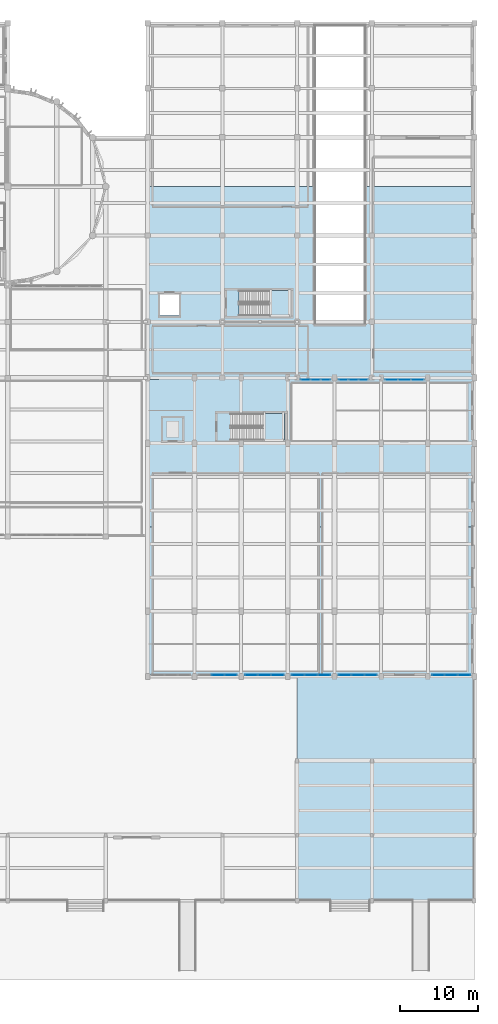
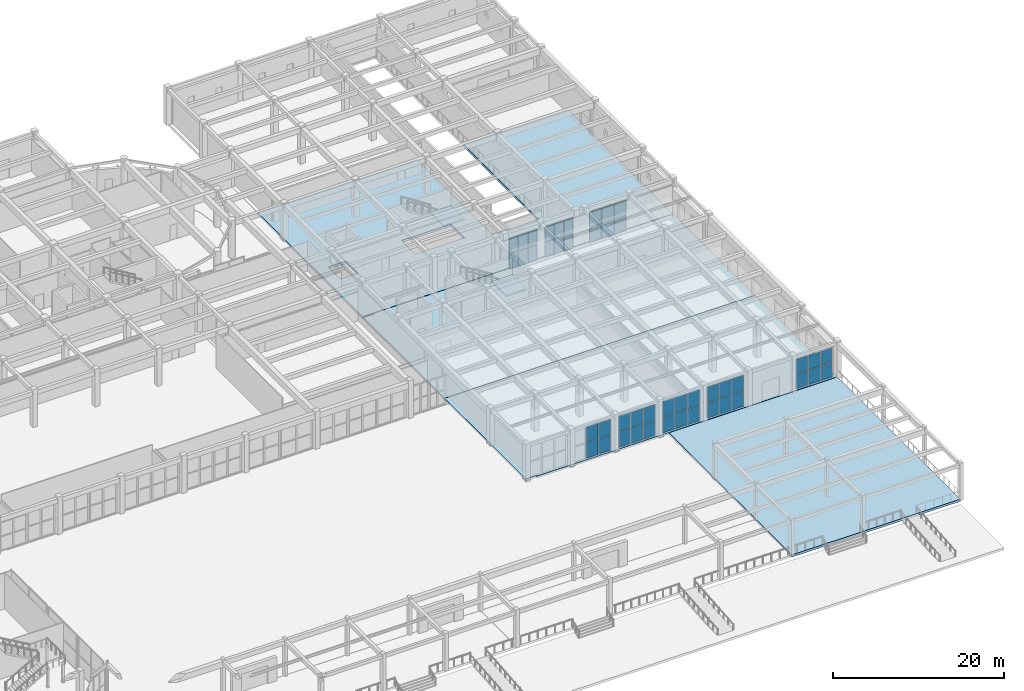
# One storey, part 64 of 98: 46 plates, 6 slabs, 10 elements without a shape of their own.
"""IFC4 building model written with IfcOpenShell, lengths in metres."""

from ifc_helpers import new_model, si_unit, direction, frame, origin, origin_2d, place, context, subcontext, project, spatial, polyline, rectangle, outline, extrude, material, layer, layer_set, type_object, element, aggregate, save


model = new_model("IFC4")

# Units and contexts
model_context = context("Model", 3, precision=1e-05, world=origin(), true_north=direction((0.0, 1.0)))
body_context = subcontext(model_context, "Body", "Model", "MODEL_VIEW")
ifc_project = project(units=[si_unit("LENGTHUNIT", "METRE"), si_unit("AREAUNIT", "SQUARE_METRE"), si_unit("VOLUMEUNIT", "CUBIC_METRE"), si_unit("PLANEANGLEUNIT", "RADIAN"), si_unit("MASSUNIT", "GRAM", prefix="KILO")], contexts=[model_context])

# Site, building, storey
site_placement = place(None, origin())
site = spatial("IfcSite", under=ifc_project, at=site_placement, CompositionType="ELEMENT")
building_placement = place(site_placement, origin())
building = spatial("IfcBuilding", under=site, at=building_placement, Name="Tarnavel Promenade Courthouse", CompositionType="ELEMENT")
storey_placement = place(building_placement, origin())
storey = spatial("IfcBuildingStorey", under=building, at=storey_placement, Name="L01", CompositionType="ELEMENT", Elevation=0.0)

# Slabs
ifc_material_1 = material(Name="Concrete C35/45", Category="concrete")
ifc_layer_1 = layer(ifc_material_1, 0.320068359375)
ifc_layer_set_1 = layer_set([ifc_layer_1], Name="Concrete C35/45")
slab_type_1 = type_object("IfcSlabType", Name="Concrete C35/45 SLB-COL-320 (320 mm)", PredefinedType="FLOOR", material=ifc_layer_set_1)
slab_1_placement = place(storey_placement, frame((0.0, 0.0, -0.320068359375)))
element("IfcSlab", 1, at=slab_1_placement, inside=storey, type_object=slab_type_1, Name="L01 East Ceremonial Portico Plinth Deck", PredefinedType="FLOOR", context=body_context, shape_type="SweptSolid", body=[
    extrude(outline(polyline([(139.219970703125, 0.0), (162.0, 0.0), (162.0, 28.780029296875), (139.219970703125, 28.780029296875), (139.219970703125, 0.0)])), origin(), (0.0, 0.0, 1.0), 0.320068359375),
])
ifc_layer_2 = layer(ifc_material_1, 0.280029296875)
ifc_layer_set_2 = layer_set([ifc_layer_2], Name="Concrete C35/45")
slab_type_2 = type_object("IfcSlabType", Name="Concrete C35/45 SLB-L01-280 (280 mm)", PredefinedType="FLOOR", material=ifc_layer_set_2)
slab_2_placement = place(storey_placement, frame((0.0, 0.0, -0.280029296875)))
element("IfcSlab", 2, at=slab_2_placement, inside=storey, type_object=slab_type_2, Name="L01 Ceremonial Pavilion S Floor Slab", PredefinedType="FLOOR", context=body_context, shape_type="SweptSolid", body=[
    extrude(outline(polyline([(120.02001953125, 28.97998046875), (121.419921875, 28.97998046875), (121.419921875, 28.820068359375), (162.0, 28.820068359375), (162.0, 47.97998046875), (120.02001953125, 47.97998046875), (120.02001953125, 28.97998046875)])), origin(), (0.0, 0.0, 1.0), 0.280029296875),
])
slab_3_placement = place(storey_placement, frame((0.0, 0.0, -0.280029296875)))
element("IfcSlab", 3, at=slab_3_placement, inside=storey, type_object=slab_type_2, Name="L01 Ceremonial Pavilion N Floor Slab", PredefinedType="FLOOR", context=body_context, shape_type="SweptSolid", body=[
    extrude(outline(polyline([(120.02001953125, 48.02001953125), (162.0, 48.02001953125), (162.0, 67.179931640625), (121.419921875, 67.179931640625), (121.419921875, 67.02001953125), (120.02001953125, 67.02001953125), (120.02001953125, 48.02001953125)])), origin(), (0.0, 0.0, 1.0), 0.280029296875),
])

# Stair, slab
stair_type_1 = type_object("IfcStairType", Name="Concrete C35/45 Half-Turn Stair STR-16 (1500W-280G-30R)", PredefinedType="HALF_TURN_STAIR", material=ifc_material_1)
stair_1_placement = place(storey_placement, origin())
stair_1 = element("IfcStair", 4, at=stair_1_placement, inside=storey, type_object=stair_type_1, Name="L01 Custody Suite Protected Exit Stair", PredefinedType="HALF_TURN_STAIR")
ifc_layer_3 = layer(ifc_material_1, 0.205078125)
ifc_layer_set_3 = layer_set([ifc_layer_3], Name="Concrete C35/45")
slab_type_3 = type_object("IfcSlabType", Name="Concrete C35/45 Stair Landing SLB-LND-205 (205 mm)", PredefinedType="LANDING", material=ifc_layer_set_3)
slab_4_placement = place(storey_placement, frame((0.0, 0.0, 2.5)))
slab_4 = element("IfcSlab", 5, at=slab_4_placement, type_object=slab_type_3, Name="ST-06 landing 1", PredefinedType="LANDING", context=body_context, shape_type="SweptSolid", body=[
    extrude(outline(polyline([(135.6201171875, 75.199951171875), (138.39990234375, 75.199951171875), (138.39990234375, 78.39990234375), (135.6201171875, 78.39990234375), (135.6201171875, 75.199951171875)])), origin(), (0.0, 0.0, 1.0), 0.199951171875),
])
aggregate(stair_1, [slab_4])

stair_type_2 = type_object("IfcStairType", Name="Concrete C35/45 Half-Turn Stair STR-18 (1600W-300G-30R)", PredefinedType="HALF_TURN_STAIR", material=ifc_material_1)
stair_2_placement = place(storey_placement, origin())
stair_2 = element("IfcStair", 6, at=stair_2_placement, inside=storey, type_object=stair_type_2, Name="L01 Ceremonial Pavilion Exit Stair", PredefinedType="HALF_TURN_STAIR")
slab_5_placement = place(storey_placement, frame((0.0, 0.0, 2.5)))
slab_5 = element("IfcSlab", 7, at=slab_5_placement, type_object=slab_type_3, Name="ST-08 landing 1", PredefinedType="LANDING", context=body_context, shape_type="SweptSolid", body=[
    extrude(outline(polyline([(134.800048828125, 59.199951171875), (137.60009765625, 59.199951171875), (137.60009765625, 62.60009765625), (134.800048828125, 62.60009765625), (134.800048828125, 59.199951171875)])), origin(), (0.0, 0.0, 1.0), 0.199951171875),
])
aggregate(stair_2, [slab_5])

# Slab
ifc_material_2 = material(Name="Concrete C40/50", Category="concrete")
ifc_layer_4 = layer(ifc_material_2, 0.340087890625)
ifc_layer_set_4 = layer_set([ifc_layer_4], Name="Concrete C40/50")
slab_type_4 = type_object("IfcSlabType", Name="Concrete C40/50 SLB-ARC-340 (340 mm)", PredefinedType="FLOOR", material=ifc_layer_set_4)
slab_6_placement = place(storey_placement, frame((0.0, 0.0, -0.340087890625)))
element("IfcSlab", 8, at=slab_6_placement, inside=storey, type_object=slab_type_4, Name="L01 Custody Suite S Security Slab", PredefinedType="FLOOR", context=body_context, shape_type="SweptSolid", body=[
    extrude(outline(polyline([(120.02001953125, 67.219970703125), (162.0, 67.219970703125), (162.0, 91.780029296875), (147.820068359375, 91.780029296875), (147.820068359375, 74.1201171875), (141.580078125, 74.1201171875), (141.580078125, 91.780029296875), (120.02001953125, 91.780029296875), (120.02001953125, 67.219970703125)]), holes=[polyline([(131.7451171875, 75.199951171875), (138.39990234375, 75.199951171875), (138.39990234375, 78.39990234375), (131.7451171875, 78.39990234375), (131.7451171875, 75.199951171875)]), polyline([(121.60009765625, 75.199951171875), (124.0, 75.199951171875), (124.0, 78.0), (121.60009765625, 78.0), (121.60009765625, 75.199951171875)])]), origin(), (0.0, 0.0, 1.0), 0.340087890625),
])

# Curtain wall, plates
ifc_material_3 = material(Name="Thermally Broken Anodised Aluminium Curtain Wall System", Category="aluminium")
ifc_layer_5 = layer(ifc_material_3, 0.199951171875)
ifc_layer_set_5 = layer_set([ifc_layer_5], Name="Thermally Broken Anodised Aluminium Curtain Wall System")
curtain_wall_type = type_object("IfcCurtainWallType", Name="Thermally Broken Aluminium Triple-Glazed Curtain Wall CW-FOYER", PredefinedType="NOTDEFINED", material=ifc_layer_set_5)
curtain_wall_1_placement = place(storey_placement, origin())
curtain_wall_1 = element("IfcCurtainWall", 9, at=curtain_wall_1_placement, inside=storey, type_object=curtain_wall_type, Name="L01 Ceremonial Cloister Curtain Wall 159", PredefinedType="NOTDEFINED")
ifc_material_4 = material(Name="Triple Low-E Argon Insulated Glazing", Category="glass")
ifc_layer_6 = layer(ifc_material_4, 0.048095703125)
ifc_layer_set_6 = layer_set([ifc_layer_6], Name="Triple Low-E Argon Insulated Glazing")
plate_type = type_object("IfcPlateType", Name="Triple Low-E Argon Insulated Glazing Unit CWP-48 (48 mm)", PredefinedType="CURTAIN_PANEL", material=ifc_layer_set_6)
plate_1_placement = place(storey_placement, frame((129.0, 29.02001953125, 0.080078125), z_axis=(0.0, 0.0, 1.0), x_axis=(1.0, 0.0, 0.0)))
plate_1 = element("IfcPlate", 10, at=plate_1_placement, type_object=plate_type, Name="CW-04 panel 2.1", PredefinedType="CURTAIN_PANEL", context=body_context, shape_type="SweptSolid", body=[
    extrude(rectangle(XDim=1.610107421875, YDim=0.048095703125, at=origin_2d()), origin(), (0.0, 0.0, 1.0), 2.18994140625),
])
plate_2_placement = place(storey_placement, frame((129.0, 29.02001953125, 2.35009765625), z_axis=(0.0, 0.0, 1.0), x_axis=(1.0, 0.0, 0.0)))
plate_2 = element("IfcPlate", 11, at=plate_2_placement, type_object=plate_type, Name="CW-04 panel 2.2", PredefinedType="CURTAIN_PANEL", context=body_context, shape_type="SweptSolid", body=[
    extrude(rectangle(XDim=1.610107421875, YDim=0.048095703125, at=origin_2d()), origin(), (0.0, 0.0, 1.0), 2.18994140625),
])
plate_3_placement = place(storey_placement, frame((130.677490234375, 29.02001953125, 0.080078125), z_axis=(0.0, 0.0, 1.0), x_axis=(1.0, 0.0, 0.0)))
plate_3 = element("IfcPlate", 12, at=plate_3_placement, type_object=plate_type, Name="CW-04 panel 3.1", PredefinedType="CURTAIN_PANEL", context=body_context, shape_type="SweptSolid", body=[
    extrude(rectangle(XDim=1.56494140625, YDim=0.048095703125, at=origin_2d()), origin(), (0.0, 0.0, 1.0), 2.18994140625),
])
plate_4_placement = place(storey_placement, frame((130.677490234375, 29.02001953125, 2.35009765625), z_axis=(0.0, 0.0, 1.0), x_axis=(1.0, 0.0, 0.0)))
plate_4 = element("IfcPlate", 13, at=plate_4_placement, type_object=plate_type, Name="CW-04 panel 3.2", PredefinedType="CURTAIN_PANEL", context=body_context, shape_type="SweptSolid", body=[
    extrude(rectangle(XDim=1.56494140625, YDim=0.048095703125, at=origin_2d()), origin(), (0.0, 0.0, 1.0), 2.18994140625),
])
aggregate(curtain_wall_1, [plate_1, plate_2, plate_3, plate_4])

curtain_wall_2_placement = place(storey_placement, origin())
curtain_wall_2 = element("IfcCurtainWall", 14, at=curtain_wall_2_placement, inside=storey, type_object=curtain_wall_type, Name="L01 Ceremonial Cloister Curtain Wall 160", PredefinedType="NOTDEFINED")
plate_5_placement = place(storey_placement, frame((133.322509765625, 29.02001953125, 0.080078125), z_axis=(0.0, 0.0, 1.0), x_axis=(1.0, 0.0, 0.0)))
plate_5 = element("IfcPlate", 15, at=plate_5_placement, type_object=plate_type, Name="CW-04 panel 1.1", PredefinedType="CURTAIN_PANEL", context=body_context, shape_type="SweptSolid", body=[
    extrude(rectangle(XDim=1.56494140625, YDim=0.048095703125, at=origin_2d()), origin(), (0.0, 0.0, 1.0), 2.18994140625),
])
plate_6_placement = place(storey_placement, frame((133.322509765625, 29.02001953125, 2.35009765625), z_axis=(0.0, 0.0, 1.0), x_axis=(1.0, 0.0, 0.0)))
plate_6 = element("IfcPlate", 16, at=plate_6_placement, type_object=plate_type, Name="CW-04 panel 1.2", PredefinedType="CURTAIN_PANEL", context=body_context, shape_type="SweptSolid", body=[
    extrude(rectangle(XDim=1.56494140625, YDim=0.048095703125, at=origin_2d()), origin(), (0.0, 0.0, 1.0), 2.18994140625),
])
plate_7_placement = place(storey_placement, frame((135.0, 29.02001953125, 0.080078125), z_axis=(0.0, 0.0, 1.0), x_axis=(1.0, 0.0, 0.0)))
plate_7 = element("IfcPlate", 17, at=plate_7_placement, type_object=plate_type, Name="CW-04 panel 2.1", PredefinedType="CURTAIN_PANEL", context=body_context, shape_type="SweptSolid", body=[
    extrude(rectangle(XDim=1.610107421875, YDim=0.048095703125, at=origin_2d()), origin(), (0.0, 0.0, 1.0), 2.18994140625),
])
plate_8_placement = place(storey_placement, frame((135.0, 29.02001953125, 2.35009765625), z_axis=(0.0, 0.0, 1.0), x_axis=(1.0, 0.0, 0.0)))
plate_8 = element("IfcPlate", 18, at=plate_8_placement, type_object=plate_type, Name="CW-04 panel 2.2", PredefinedType="CURTAIN_PANEL", context=body_context, shape_type="SweptSolid", body=[
    extrude(rectangle(XDim=1.610107421875, YDim=0.048095703125, at=origin_2d()), origin(), (0.0, 0.0, 1.0), 2.18994140625),
])
plate_9_placement = place(storey_placement, frame((136.677490234375, 29.02001953125, 0.080078125), z_axis=(0.0, 0.0, 1.0), x_axis=(1.0, 0.0, 0.0)))
plate_9 = element("IfcPlate", 19, at=plate_9_placement, type_object=plate_type, Name="CW-04 panel 3.1", PredefinedType="CURTAIN_PANEL", context=body_context, shape_type="SweptSolid", body=[
    extrude(rectangle(XDim=1.56494140625, YDim=0.048095703125, at=origin_2d()), origin(), (0.0, 0.0, 1.0), 2.18994140625),
])
plate_10_placement = place(storey_placement, frame((136.677490234375, 29.02001953125, 2.35009765625), z_axis=(0.0, 0.0, 1.0), x_axis=(1.0, 0.0, 0.0)))
plate_10 = element("IfcPlate", 20, at=plate_10_placement, type_object=plate_type, Name="CW-04 panel 3.2", PredefinedType="CURTAIN_PANEL", context=body_context, shape_type="SweptSolid", body=[
    extrude(rectangle(XDim=1.56494140625, YDim=0.048095703125, at=origin_2d()), origin(), (0.0, 0.0, 1.0), 2.18994140625),
])
aggregate(curtain_wall_2, [plate_5, plate_6, plate_7, plate_8, plate_9, plate_10])

curtain_wall_3_placement = place(storey_placement, origin())
curtain_wall_3 = element("IfcCurtainWall", 21, at=curtain_wall_3_placement, inside=storey, type_object=curtain_wall_type, Name="L01 Ceremonial Cloister Curtain Wall 161", PredefinedType="NOTDEFINED")
plate_11_placement = place(storey_placement, frame((139.322509765625, 29.02001953125, 0.080078125), z_axis=(0.0, 0.0, 1.0), x_axis=(1.0, 0.0, 0.0)))
plate_11 = element("IfcPlate", 22, at=plate_11_placement, type_object=plate_type, Name="CW-04 panel 1.1", PredefinedType="CURTAIN_PANEL", context=body_context, shape_type="SweptSolid", body=[
    extrude(rectangle(XDim=1.56494140625, YDim=0.048095703125, at=origin_2d()), origin(), (0.0, 0.0, 1.0), 2.18994140625),
])
plate_12_placement = place(storey_placement, frame((139.322509765625, 29.02001953125, 2.35009765625), z_axis=(0.0, 0.0, 1.0), x_axis=(1.0, 0.0, 0.0)))
plate_12 = element("IfcPlate", 23, at=plate_12_placement, type_object=plate_type, Name="CW-04 panel 1.2", PredefinedType="CURTAIN_PANEL", context=body_context, shape_type="SweptSolid", body=[
    extrude(rectangle(XDim=1.56494140625, YDim=0.048095703125, at=origin_2d()), origin(), (0.0, 0.0, 1.0), 2.18994140625),
])
plate_13_placement = place(storey_placement, frame((141.0, 29.02001953125, 0.080078125), z_axis=(0.0, 0.0, 1.0), x_axis=(1.0, 0.0, 0.0)))
plate_13 = element("IfcPlate", 24, at=plate_13_placement, type_object=plate_type, Name="CW-04 panel 2.1", PredefinedType="CURTAIN_PANEL", context=body_context, shape_type="SweptSolid", body=[
    extrude(rectangle(XDim=1.610107421875, YDim=0.048095703125, at=origin_2d()), origin(), (0.0, 0.0, 1.0), 2.18994140625),
])
plate_14_placement = place(storey_placement, frame((141.0, 29.02001953125, 2.35009765625), z_axis=(0.0, 0.0, 1.0), x_axis=(1.0, 0.0, 0.0)))
plate_14 = element("IfcPlate", 25, at=plate_14_placement, type_object=plate_type, Name="CW-04 panel 2.2", PredefinedType="CURTAIN_PANEL", context=body_context, shape_type="SweptSolid", body=[
    extrude(rectangle(XDim=1.610107421875, YDim=0.048095703125, at=origin_2d()), origin(), (0.0, 0.0, 1.0), 2.18994140625),
])
plate_15_placement = place(storey_placement, frame((142.677490234375, 29.02001953125, 0.080078125), z_axis=(0.0, 0.0, 1.0), x_axis=(1.0, 0.0, 0.0)))
plate_15 = element("IfcPlate", 26, at=plate_15_placement, type_object=plate_type, Name="CW-04 panel 3.1", PredefinedType="CURTAIN_PANEL", context=body_context, shape_type="SweptSolid", body=[
    extrude(rectangle(XDim=1.56494140625, YDim=0.048095703125, at=origin_2d()), origin(), (0.0, 0.0, 1.0), 2.18994140625),
])
plate_16_placement = place(storey_placement, frame((142.677490234375, 29.02001953125, 2.35009765625), z_axis=(0.0, 0.0, 1.0), x_axis=(1.0, 0.0, 0.0)))
plate_16 = element("IfcPlate", 27, at=plate_16_placement, type_object=plate_type, Name="CW-04 panel 3.2", PredefinedType="CURTAIN_PANEL", context=body_context, shape_type="SweptSolid", body=[
    extrude(rectangle(XDim=1.56494140625, YDim=0.048095703125, at=origin_2d()), origin(), (0.0, 0.0, 1.0), 2.18994140625),
])
aggregate(curtain_wall_3, [plate_11, plate_12, plate_13, plate_14, plate_15, plate_16])

curtain_wall_4_placement = place(storey_placement, origin())
curtain_wall_4 = element("IfcCurtainWall", 28, at=curtain_wall_4_placement, inside=storey, type_object=curtain_wall_type, Name="L01 Ceremonial Cloister Curtain Wall 162", PredefinedType="NOTDEFINED")
plate_17_placement = place(storey_placement, frame((145.322509765625, 29.02001953125, 0.080078125), z_axis=(0.0, 0.0, 1.0), x_axis=(1.0, 0.0, 0.0)))
plate_17 = element("IfcPlate", 29, at=plate_17_placement, type_object=plate_type, Name="CW-04 panel 1.1", PredefinedType="CURTAIN_PANEL", context=body_context, shape_type="SweptSolid", body=[
    extrude(rectangle(XDim=1.56494140625, YDim=0.048095703125, at=origin_2d()), origin(), (0.0, 0.0, 1.0), 2.18994140625),
])
plate_18_placement = place(storey_placement, frame((145.322509765625, 29.02001953125, 2.35009765625), z_axis=(0.0, 0.0, 1.0), x_axis=(1.0, 0.0, 0.0)))
plate_18 = element("IfcPlate", 30, at=plate_18_placement, type_object=plate_type, Name="CW-04 panel 1.2", PredefinedType="CURTAIN_PANEL", context=body_context, shape_type="SweptSolid", body=[
    extrude(rectangle(XDim=1.56494140625, YDim=0.048095703125, at=origin_2d()), origin(), (0.0, 0.0, 1.0), 2.18994140625),
])
plate_19_placement = place(storey_placement, frame((147.0, 29.02001953125, 0.080078125), z_axis=(0.0, 0.0, 1.0), x_axis=(1.0, 0.0, 0.0)))
plate_19 = element("IfcPlate", 31, at=plate_19_placement, type_object=plate_type, Name="CW-04 panel 2.1", PredefinedType="CURTAIN_PANEL", context=body_context, shape_type="SweptSolid", body=[
    extrude(rectangle(XDim=1.610107421875, YDim=0.048095703125, at=origin_2d()), origin(), (0.0, 0.0, 1.0), 2.18994140625),
])
plate_20_placement = place(storey_placement, frame((147.0, 29.02001953125, 2.35009765625), z_axis=(0.0, 0.0, 1.0), x_axis=(1.0, 0.0, 0.0)))
plate_20 = element("IfcPlate", 32, at=plate_20_placement, type_object=plate_type, Name="CW-04 panel 2.2", PredefinedType="CURTAIN_PANEL", context=body_context, shape_type="SweptSolid", body=[
    extrude(rectangle(XDim=1.610107421875, YDim=0.048095703125, at=origin_2d()), origin(), (0.0, 0.0, 1.0), 2.18994140625),
])
plate_21_placement = place(storey_placement, frame((148.677490234375, 29.02001953125, 0.080078125), z_axis=(0.0, 0.0, 1.0), x_axis=(1.0, 0.0, 0.0)))
plate_21 = element("IfcPlate", 33, at=plate_21_placement, type_object=plate_type, Name="CW-04 panel 3.1", PredefinedType="CURTAIN_PANEL", context=body_context, shape_type="SweptSolid", body=[
    extrude(rectangle(XDim=1.56494140625, YDim=0.048095703125, at=origin_2d()), origin(), (0.0, 0.0, 1.0), 2.18994140625),
])
plate_22_placement = place(storey_placement, frame((148.677490234375, 29.02001953125, 2.35009765625), z_axis=(0.0, 0.0, 1.0), x_axis=(1.0, 0.0, 0.0)))
plate_22 = element("IfcPlate", 34, at=plate_22_placement, type_object=plate_type, Name="CW-04 panel 3.2", PredefinedType="CURTAIN_PANEL", context=body_context, shape_type="SweptSolid", body=[
    extrude(rectangle(XDim=1.56494140625, YDim=0.048095703125, at=origin_2d()), origin(), (0.0, 0.0, 1.0), 2.18994140625),
])
aggregate(curtain_wall_4, [plate_17, plate_18, plate_19, plate_20, plate_21, plate_22])

curtain_wall_5_placement = place(storey_placement, origin())
curtain_wall_5 = element("IfcCurtainWall", 35, at=curtain_wall_5_placement, inside=storey, type_object=curtain_wall_type, Name="L01 Ceremonial Cloister Curtain Wall 163", PredefinedType="NOTDEFINED")
plate_23_placement = place(storey_placement, frame((157.322509765625, 29.02001953125, 0.080078125), z_axis=(0.0, 0.0, 1.0), x_axis=(1.0, 0.0, 0.0)))
plate_23 = element("IfcPlate", 36, at=plate_23_placement, type_object=plate_type, Name="CW-04 panel 1.1", PredefinedType="CURTAIN_PANEL", context=body_context, shape_type="SweptSolid", body=[
    extrude(rectangle(XDim=1.56494140625, YDim=0.048095703125, at=origin_2d()), origin(), (0.0, 0.0, 1.0), 2.0400390625),
])
plate_24_placement = place(storey_placement, frame((157.322509765625, 29.02001953125, 2.199951171875), z_axis=(0.0, 0.0, 1.0), x_axis=(1.0, 0.0, 0.0)))
plate_24 = element("IfcPlate", 37, at=plate_24_placement, type_object=plate_type, Name="CW-04 panel 1.2", PredefinedType="CURTAIN_PANEL", context=body_context, shape_type="SweptSolid", body=[
    extrude(rectangle(XDim=1.56494140625, YDim=0.048095703125, at=origin_2d()), origin(), (0.0, 0.0, 1.0), 2.0400390625),
])
plate_25_placement = place(storey_placement, frame((159.0, 29.02001953125, 0.080078125), z_axis=(0.0, 0.0, 1.0), x_axis=(1.0, 0.0, 0.0)))
plate_25 = element("IfcPlate", 38, at=plate_25_placement, type_object=plate_type, Name="CW-04 panel 2.1", PredefinedType="CURTAIN_PANEL", context=body_context, shape_type="SweptSolid", body=[
    extrude(rectangle(XDim=1.610107421875, YDim=0.048095703125, at=origin_2d()), origin(), (0.0, 0.0, 1.0), 2.0400390625),
])
plate_26_placement = place(storey_placement, frame((159.0, 29.02001953125, 2.199951171875), z_axis=(0.0, 0.0, 1.0), x_axis=(1.0, 0.0, 0.0)))
plate_26 = element("IfcPlate", 39, at=plate_26_placement, type_object=plate_type, Name="CW-04 panel 2.2", PredefinedType="CURTAIN_PANEL", context=body_context, shape_type="SweptSolid", body=[
    extrude(rectangle(XDim=1.610107421875, YDim=0.048095703125, at=origin_2d()), origin(), (0.0, 0.0, 1.0), 2.0400390625),
])
plate_27_placement = place(storey_placement, frame((160.677490234375, 29.02001953125, 0.080078125), z_axis=(0.0, 0.0, 1.0), x_axis=(1.0, 0.0, 0.0)))
plate_27 = element("IfcPlate", 40, at=plate_27_placement, type_object=plate_type, Name="CW-04 panel 3.1", PredefinedType="CURTAIN_PANEL", context=body_context, shape_type="SweptSolid", body=[
    extrude(rectangle(XDim=1.56494140625, YDim=0.048095703125, at=origin_2d()), origin(), (0.0, 0.0, 1.0), 2.0400390625),
])
plate_28_placement = place(storey_placement, frame((160.677490234375, 29.02001953125, 2.199951171875), z_axis=(0.0, 0.0, 1.0), x_axis=(1.0, 0.0, 0.0)))
plate_28 = element("IfcPlate", 41, at=plate_28_placement, type_object=plate_type, Name="CW-04 panel 3.2", PredefinedType="CURTAIN_PANEL", context=body_context, shape_type="SweptSolid", body=[
    extrude(rectangle(XDim=1.56494140625, YDim=0.048095703125, at=origin_2d()), origin(), (0.0, 0.0, 1.0), 2.0400390625),
])
aggregate(curtain_wall_5, [plate_23, plate_24, plate_25, plate_26, plate_27, plate_28])

curtain_wall_6_placement = place(storey_placement, origin())
curtain_wall_6 = element("IfcCurtainWall", 42, at=curtain_wall_6_placement, inside=storey, type_object=curtain_wall_type, Name="L01 Ceremonial North Cloister Curtain Wall 164", PredefinedType="NOTDEFINED")
plate_29_placement = place(storey_placement, frame((142.869140625, 66.9599609375, 0.080078125), z_axis=(0.0, 0.0, 1.0), x_axis=(-1.0, 0.0, 0.0)))
plate_29 = element("IfcPlate", 43, at=plate_29_placement, type_object=plate_type, Name="CW-04 panel 1.1", PredefinedType="CURTAIN_PANEL", context=body_context, shape_type="SweptSolid", body=[
    extrude(rectangle(XDim=1.181640625, YDim=0.048095703125, at=origin_2d()), origin(), (0.0, 0.0, 1.0), 2.114990234375),
])
plate_30_placement = place(storey_placement, frame((142.869140625, 66.9599609375, 2.27490234375), z_axis=(0.0, 0.0, 1.0), x_axis=(-1.0, 0.0, 0.0)))
plate_30 = element("IfcPlate", 44, at=plate_30_placement, type_object=plate_type, Name="CW-04 panel 1.2", PredefinedType="CURTAIN_PANEL", context=body_context, shape_type="SweptSolid", body=[
    extrude(rectangle(XDim=1.181640625, YDim=0.048095703125, at=origin_2d()), origin(), (0.0, 0.0, 1.0), 2.114990234375),
])
plate_31_placement = place(storey_placement, frame((141.574951171875, 66.9599609375, 0.080078125), z_axis=(0.0, 0.0, 1.0), x_axis=(-1.0, 0.0, 0.0)))
plate_31 = element("IfcPlate", 45, at=plate_31_placement, type_object=plate_type, Name="CW-04 panel 2.1", PredefinedType="CURTAIN_PANEL", context=body_context, shape_type="SweptSolid", body=[
    extrude(rectangle(XDim=1.2265625, YDim=0.048095703125, at=origin_2d()), origin(), (0.0, 0.0, 1.0), 2.114990234375),
])
plate_32_placement = place(storey_placement, frame((141.574951171875, 66.9599609375, 2.27490234375), z_axis=(0.0, 0.0, 1.0), x_axis=(-1.0, 0.0, 0.0)))
plate_32 = element("IfcPlate", 46, at=plate_32_placement, type_object=plate_type, Name="CW-04 panel 2.2", PredefinedType="CURTAIN_PANEL", context=body_context, shape_type="SweptSolid", body=[
    extrude(rectangle(XDim=1.2265625, YDim=0.048095703125, at=origin_2d()), origin(), (0.0, 0.0, 1.0), 2.114990234375),
])
plate_33_placement = place(storey_placement, frame((140.28076171875, 66.9599609375, 0.080078125), z_axis=(0.0, 0.0, 1.0), x_axis=(-1.0, 0.0, 0.0)))
plate_33 = element("IfcPlate", 47, at=plate_33_placement, type_object=plate_type, Name="CW-04 panel 3.1", PredefinedType="CURTAIN_PANEL", context=body_context, shape_type="SweptSolid", body=[
    extrude(rectangle(XDim=1.181640625, YDim=0.048095703125, at=origin_2d()), origin(), (0.0, 0.0, 1.0), 2.114990234375),
])
plate_34_placement = place(storey_placement, frame((140.28076171875, 66.9599609375, 2.27490234375), z_axis=(0.0, 0.0, 1.0), x_axis=(-1.0, 0.0, 0.0)))
plate_34 = element("IfcPlate", 48, at=plate_34_placement, type_object=plate_type, Name="CW-04 panel 3.2", PredefinedType="CURTAIN_PANEL", context=body_context, shape_type="SweptSolid", body=[
    extrude(rectangle(XDim=1.181640625, YDim=0.048095703125, at=origin_2d()), origin(), (0.0, 0.0, 1.0), 2.114990234375),
])
aggregate(curtain_wall_6, [plate_29, plate_30, plate_31, plate_32, plate_33, plate_34])

curtain_wall_7_placement = place(storey_placement, origin())
curtain_wall_7 = element("IfcCurtainWall", 49, at=curtain_wall_7_placement, inside=storey, type_object=curtain_wall_type, Name="L01 Ceremonial North Cloister Curtain Wall 165", PredefinedType="NOTDEFINED")
plate_35_placement = place(storey_placement, frame((147.71923828125, 66.9599609375, 0.080078125), z_axis=(0.0, 0.0, 1.0), x_axis=(-1.0, 0.0, 0.0)))
plate_35 = element("IfcPlate", 50, at=plate_35_placement, type_object=plate_type, Name="CW-04 panel 1.1", PredefinedType="CURTAIN_PANEL", context=body_context, shape_type="SweptSolid", body=[
    extrude(rectangle(XDim=1.181640625, YDim=0.048095703125, at=origin_2d()), origin(), (0.0, 0.0, 1.0), 2.114990234375),
])
plate_36_placement = place(storey_placement, frame((147.71923828125, 66.9599609375, 2.27490234375), z_axis=(0.0, 0.0, 1.0), x_axis=(-1.0, 0.0, 0.0)))
plate_36 = element("IfcPlate", 51, at=plate_36_placement, type_object=plate_type, Name="CW-04 panel 1.2", PredefinedType="CURTAIN_PANEL", context=body_context, shape_type="SweptSolid", body=[
    extrude(rectangle(XDim=1.181640625, YDim=0.048095703125, at=origin_2d()), origin(), (0.0, 0.0, 1.0), 2.114990234375),
])
plate_37_placement = place(storey_placement, frame((146.425048828125, 66.9599609375, 0.080078125), z_axis=(0.0, 0.0, 1.0), x_axis=(-1.0, 0.0, 0.0)))
plate_37 = element("IfcPlate", 52, at=plate_37_placement, type_object=plate_type, Name="CW-04 panel 2.1", PredefinedType="CURTAIN_PANEL", context=body_context, shape_type="SweptSolid", body=[
    extrude(rectangle(XDim=1.2265625, YDim=0.048095703125, at=origin_2d()), origin(), (0.0, 0.0, 1.0), 2.114990234375),
])
plate_38_placement = place(storey_placement, frame((146.425048828125, 66.9599609375, 2.27490234375), z_axis=(0.0, 0.0, 1.0), x_axis=(-1.0, 0.0, 0.0)))
plate_38 = element("IfcPlate", 53, at=plate_38_placement, type_object=plate_type, Name="CW-04 panel 2.2", PredefinedType="CURTAIN_PANEL", context=body_context, shape_type="SweptSolid", body=[
    extrude(rectangle(XDim=1.2265625, YDim=0.048095703125, at=origin_2d()), origin(), (0.0, 0.0, 1.0), 2.114990234375),
])
plate_39_placement = place(storey_placement, frame((145.130859375, 66.9599609375, 0.080078125), z_axis=(0.0, 0.0, 1.0), x_axis=(-1.0, 0.0, 0.0)))
plate_39 = element("IfcPlate", 54, at=plate_39_placement, type_object=plate_type, Name="CW-04 panel 3.1", PredefinedType="CURTAIN_PANEL", context=body_context, shape_type="SweptSolid", body=[
    extrude(rectangle(XDim=1.181640625, YDim=0.048095703125, at=origin_2d()), origin(), (0.0, 0.0, 1.0), 2.114990234375),
])
plate_40_placement = place(storey_placement, frame((145.130859375, 66.9599609375, 2.27490234375), z_axis=(0.0, 0.0, 1.0), x_axis=(-1.0, 0.0, 0.0)))
plate_40 = element("IfcPlate", 55, at=plate_40_placement, type_object=plate_type, Name="CW-04 panel 3.2", PredefinedType="CURTAIN_PANEL", context=body_context, shape_type="SweptSolid", body=[
    extrude(rectangle(XDim=1.181640625, YDim=0.048095703125, at=origin_2d()), origin(), (0.0, 0.0, 1.0), 2.114990234375),
])
aggregate(curtain_wall_7, [plate_35, plate_36, plate_37, plate_38, plate_39, plate_40])

curtain_wall_8_placement = place(storey_placement, origin())
curtain_wall_8 = element("IfcCurtainWall", 56, at=curtain_wall_8_placement, inside=storey, type_object=curtain_wall_type, Name="L01 Ceremonial North Cloister Curtain Wall 166", PredefinedType="NOTDEFINED")
plate_41_placement = place(storey_placement, frame((154.677490234375, 66.9599609375, 0.080078125), z_axis=(0.0, 0.0, 1.0), x_axis=(-1.0, 0.0, 0.0)))
plate_41 = element("IfcPlate", 57, at=plate_41_placement, type_object=plate_type, Name="CW-04 panel 1.1", PredefinedType="CURTAIN_PANEL", context=body_context, shape_type="SweptSolid", body=[
    extrude(rectangle(XDim=1.56494140625, YDim=0.048095703125, at=origin_2d()), origin(), (0.0, 0.0, 1.0), 2.114990234375),
])
plate_42_placement = place(storey_placement, frame((154.677490234375, 66.9599609375, 2.27490234375), z_axis=(0.0, 0.0, 1.0), x_axis=(-1.0, 0.0, 0.0)))
plate_42 = element("IfcPlate", 58, at=plate_42_placement, type_object=plate_type, Name="CW-04 panel 1.2", PredefinedType="CURTAIN_PANEL", context=body_context, shape_type="SweptSolid", body=[
    extrude(rectangle(XDim=1.56494140625, YDim=0.048095703125, at=origin_2d()), origin(), (0.0, 0.0, 1.0), 2.114990234375),
])
plate_43_placement = place(storey_placement, frame((153.0, 66.9599609375, 0.080078125), z_axis=(0.0, 0.0, 1.0), x_axis=(-1.0, 0.0, 0.0)))
plate_43 = element("IfcPlate", 59, at=plate_43_placement, type_object=plate_type, Name="CW-04 panel 2.1", PredefinedType="CURTAIN_PANEL", context=body_context, shape_type="SweptSolid", body=[
    extrude(rectangle(XDim=1.610107421875, YDim=0.048095703125, at=origin_2d()), origin(), (0.0, 0.0, 1.0), 2.114990234375),
])
plate_44_placement = place(storey_placement, frame((153.0, 66.9599609375, 2.27490234375), z_axis=(0.0, 0.0, 1.0), x_axis=(-1.0, 0.0, 0.0)))
plate_44 = element("IfcPlate", 60, at=plate_44_placement, type_object=plate_type, Name="CW-04 panel 2.2", PredefinedType="CURTAIN_PANEL", context=body_context, shape_type="SweptSolid", body=[
    extrude(rectangle(XDim=1.610107421875, YDim=0.048095703125, at=origin_2d()), origin(), (0.0, 0.0, 1.0), 2.114990234375),
])
plate_45_placement = place(storey_placement, frame((151.322509765625, 66.9599609375, 0.080078125), z_axis=(0.0, 0.0, 1.0), x_axis=(-1.0, 0.0, 0.0)))
plate_45 = element("IfcPlate", 61, at=plate_45_placement, type_object=plate_type, Name="CW-04 panel 3.1", PredefinedType="CURTAIN_PANEL", context=body_context, shape_type="SweptSolid", body=[
    extrude(rectangle(XDim=1.56494140625, YDim=0.048095703125, at=origin_2d()), origin(), (0.0, 0.0, 1.0), 2.114990234375),
])
plate_46_placement = place(storey_placement, frame((151.322509765625, 66.9599609375, 2.27490234375), z_axis=(0.0, 0.0, 1.0), x_axis=(-1.0, 0.0, 0.0)))
plate_46 = element("IfcPlate", 62, at=plate_46_placement, type_object=plate_type, Name="CW-04 panel 3.2", PredefinedType="CURTAIN_PANEL", context=body_context, shape_type="SweptSolid", body=[
    extrude(rectangle(XDim=1.56494140625, YDim=0.048095703125, at=origin_2d()), origin(), (0.0, 0.0, 1.0), 2.114990234375),
])
aggregate(curtain_wall_8, [plate_41, plate_42, plate_43, plate_44, plate_45, plate_46])

save(model, "model.ifc")
